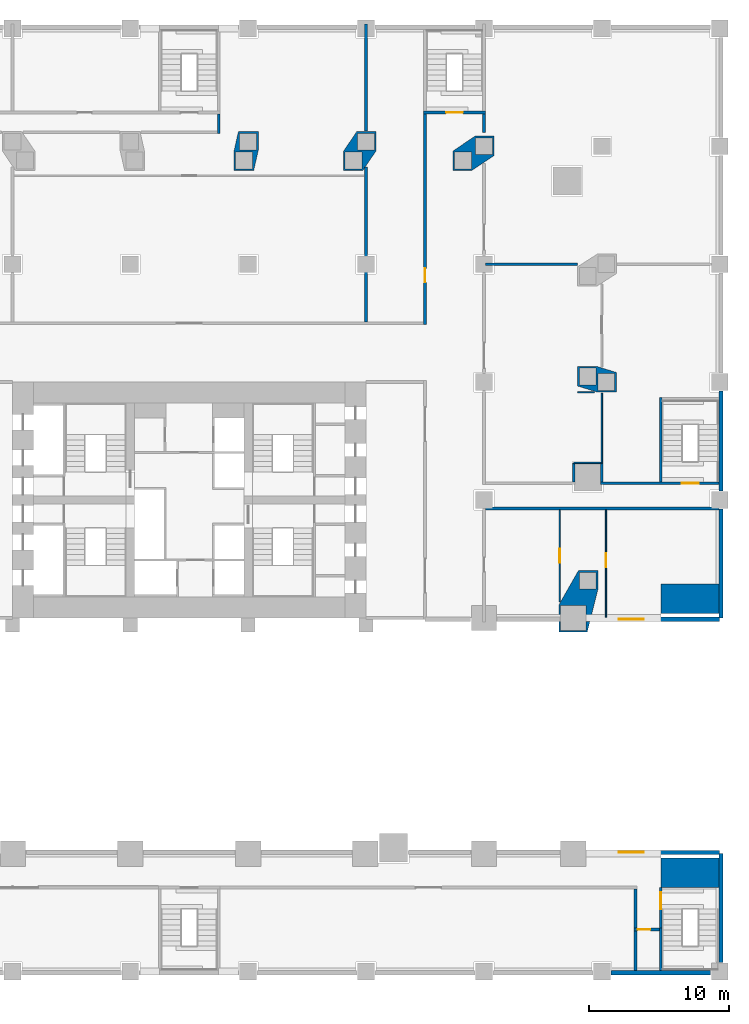
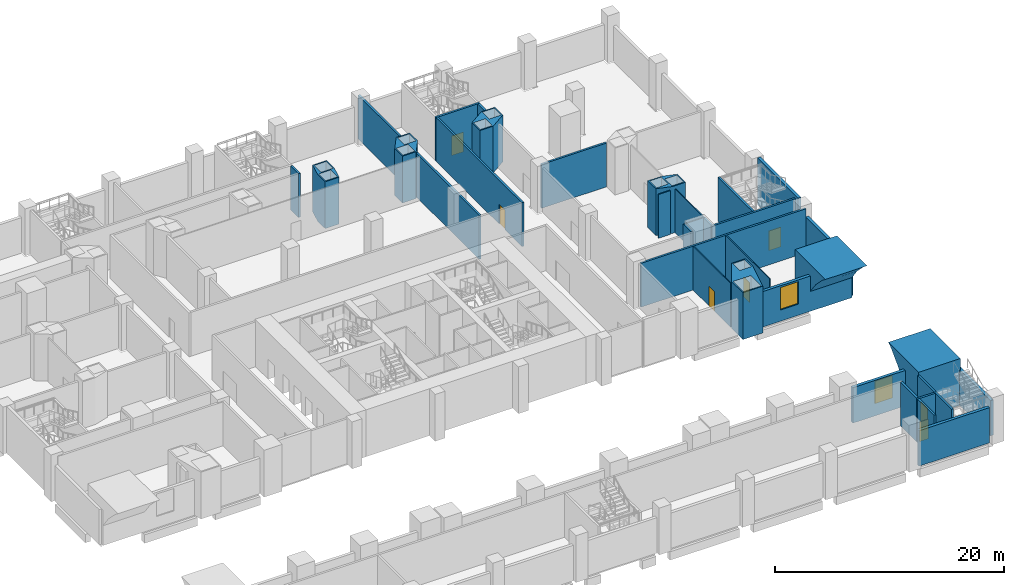
# One storey, part 8 of 16: 35 walls, 7 doors, 2 windows, 9 openings.
"""IFC4 building model written with IfcOpenShell, lengths in metres."""

from ifc_helpers import new_model, si_unit, direction, frame, frame_2d, origin, place, context, subcontext, project, spatial, polyline, rectangle, outline, extrude, material, layer, layer_set, type_object, element, fill, save


model = new_model("IFC4")

# Units and contexts
model_context = context("Model", 3, precision=1e-05, world=origin(), true_north=direction((0.0, 1.0)))
body_context = subcontext(model_context, "Body", "Model", "MODEL_VIEW")
ifc_project = project(units=[si_unit("LENGTHUNIT", "METRE"), si_unit("AREAUNIT", "SQUARE_METRE"), si_unit("VOLUMEUNIT", "CUBIC_METRE"), si_unit("PLANEANGLEUNIT", "RADIAN"), si_unit("MASSUNIT", "GRAM", prefix="KILO")], contexts=[model_context])

# Site, building, storey
site_placement = place(None, origin())
site = spatial("IfcSite", under=ifc_project, at=site_placement, CompositionType="ELEMENT")
building_placement = place(site_placement, origin())
building = spatial("IfcBuilding", under=site, at=building_placement, Name="Marenta Gate Hotel Tower", CompositionType="ELEMENT")
storey_placement = place(building_placement, frame((0.0, 0.0, 21.0)))
storey = spatial("IfcBuildingStorey", under=building, at=storey_placement, Name="L03", CompositionType="ELEMENT", Elevation=21.0)

# Walls
ifc_material_1 = material(Name="Concrete C40 board-marked", Category="concrete")
ifc_layer_1 = layer(ifc_material_1, 0.300048828125)
ifc_layer_set_1 = layer_set([ifc_layer_1], Name="Concrete C40 board-marked")
wall_type_1 = type_object("IfcWallType", Name="Board-marked concrete wall 300 mm", PredefinedType="NOTDEFINED", material=ifc_layer_set_1)
wall_1_placement = place(storey_placement, frame((30.0400390625, -25.2900390625, 0.0), z_axis=(0.0, 0.0, 1.0), x_axis=(1.0, 0.0, 0.0)))
element("IfcWall", 1, at=wall_1_placement, inside=storey, type_object=wall_type_1, Name="L03-CLD-SB-S008", PredefinedType="NOTDEFINED", context=body_context, shape_type="SweptSolid", body=[
    extrude(rectangle(XDim=7.119873046875, YDim=0.300048828125, at=frame_2d((3.56005859375, 0.0))), origin(), (0.0, 0.0, 1.0), 3.780029296875),
])
wall_2_placement = place(storey_placement, frame((37.889892578125, -24.56005859375, 0.0), z_axis=(0.0, 0.0, 1.0), x_axis=(0.0, 1.0, 0.0)))
element("IfcWall", 2, at=wall_2_placement, inside=storey, type_object=wall_type_1, Name="L03-CLD-SB-E000", PredefinedType="NOTDEFINED", context=body_context, shape_type="SweptSolid", body=[
    extrude(rectangle(XDim=7.760009765625, YDim=0.300048828125, at=frame_2d((3.8798828125, 0.0))), origin(), (0.0, 0.0, 1.0), 3.780029296875),
])

# Wall, opening, window
wall_3_placement = place(storey_placement, frame((37.800048828125, -16.7099609375, 0.0), z_axis=(0.0, 0.0, 1.0), x_axis=(-1.0, 0.0, 0.0)))
wall_3 = element("IfcWall", 3, at=wall_3_placement, inside=storey, type_object=wall_type_1, Name="L03-CLD-SB-N000", PredefinedType="NOTDEFINED", context=body_context, shape_type="SweptSolid", body=[
    extrude(rectangle(XDim=9.4970703125, YDim=0.300048828125, at=frame_2d((4.74853515625, 0.0))), origin(), (0.0, 0.0, 1.0), 3.780029296875),
])
opening_1_placement = place(wall_3_placement, frame((5.39990234375, 0.0, 1.199951171875)))
opening_1 = element("IfcOpeningElement", 4, at=opening_1_placement, cuts=wall_3, Name="Opening W5", PredefinedType="OPENING", context=body_context, shape_type="SweptSolid", body=[
    extrude(rectangle(XDim=1.800048828125, YDim=2.39990234375, at=frame_2d((0.89990234375, 1.199951171875))), frame((0.0, 0.14990234375, 0.0), z_axis=(0.0, -1.0, 0.0), x_axis=(1.0, 0.0, 0.0)), (0.0, 0.0, 1.0), 0.300048828125),
])
ifc_material_2 = material(Name="Tinted insulated glass in bronze anodised frame", Category="glass")
window_type = type_object("IfcWindowType", Name="Window W5 1800x2400 bronze frame", PartitioningType="SINGLE_PANEL", PredefinedType="WINDOW", material=ifc_material_2)
window_1_placement = place(opening_1_placement, origin())
window_1 = element("IfcWindow", 5, at=window_1_placement, inside=storey, type_object=window_type, Name="Window W5", OverallHeight=2.39990234375, OverallWidth=1.800048828125, PartitioningType="SINGLE_PANEL", PredefinedType="WINDOW", context=body_context, shape_type="SweptSolid", body=[
    extrude(rectangle(XDim=1.800048828125, YDim=2.39990234375, at=frame_2d((0.89990234375, 1.199951171875))), frame((0.0, 0.030029296875, 0.0), z_axis=(0.0, -1.0, 0.0), x_axis=(1.0, 0.0, 0.0)), (0.0, 0.0, 1.0), 0.06005859375),
])
fill(opening_1, window_1)

wall_4_placement = place(storey_placement, frame((28.302978515625, -0.090087890625, 0.0), z_axis=(0.0, 0.0, 1.0), x_axis=(1.0, 0.0, 0.0)))
wall_4 = element("IfcWall", 6, at=wall_4_placement, inside=storey, type_object=wall_type_1, Name="L03-CLD-NB-S102", PredefinedType="NOTDEFINED", context=body_context, shape_type="SweptSolid", body=[
    extrude(rectangle(XDim=9.4970703125, YDim=0.300048828125, at=frame_2d((4.74853515625, 0.0))), origin(), (0.0, 0.0, 1.0), 3.780029296875),
])
opening_2_placement = place(wall_4_placement, frame((2.297119140625, 0.0, 1.199951171875)))
opening_2 = element("IfcOpeningElement", 7, at=opening_2_placement, cuts=wall_4, Name="Opening W5", PredefinedType="OPENING", context=body_context, shape_type="SweptSolid", body=[
    extrude(rectangle(XDim=1.800048828125, YDim=2.39990234375, at=frame_2d((0.89990234375, 1.199951171875))), frame((0.0, 0.14990234375, 0.0), z_axis=(0.0, -1.0, 0.0), x_axis=(1.0, 0.0, 0.0)), (0.0, 0.0, 1.0), 0.300048828125),
])
window_2_placement = place(opening_2_placement, origin())
window_2 = element("IfcWindow", 8, at=window_2_placement, inside=storey, type_object=window_type, Name="Window W5", OverallHeight=2.39990234375, OverallWidth=1.800048828125, PartitioningType="SINGLE_PANEL", PredefinedType="WINDOW", context=body_context, shape_type="SweptSolid", body=[
    extrude(rectangle(XDim=1.800048828125, YDim=2.39990234375, at=frame_2d((0.89990234375, 1.199951171875))), frame((0.0, 0.030029296875, 0.0), z_axis=(0.0, -1.0, 0.0), x_axis=(1.0, 0.0, 0.0)), (0.0, 0.0, 1.0), 0.06005859375),
])
fill(opening_2, window_2)

# Walls
wall_5_placement = place(storey_placement, frame((37.889892578125, 0.0, 0.0), z_axis=(0.0, 0.0, 1.0), x_axis=(0.0, 1.0, 0.0)))
element("IfcWall", 9, at=wall_5_placement, inside=storey, type_object=wall_type_1, Name="L03-CLD-NB-E000", PredefinedType="NOTDEFINED", context=body_context, shape_type="SweptSolid", body=[
    extrude(rectangle(XDim=7.760009765625, YDim=0.300048828125, at=frame_2d((3.8798828125, 0.0))), origin(), (0.0, 0.0, 1.0), 3.780029296875),
])
wall_6_placement = place(storey_placement, frame((37.889892578125, 9.0400390625, 0.0), z_axis=(0.0, 0.0, 1.0), x_axis=(0.0, 1.0, 0.0)))
element("IfcWall", 10, at=wall_6_placement, inside=storey, type_object=wall_type_1, Name="L03-CLD-NB-E001", PredefinedType="NOTDEFINED", context=body_context, shape_type="SweptSolid", body=[
    extrude(rectangle(XDim=7.119873046875, YDim=0.300048828125, at=frame_2d((3.56005859375, 0.0))), origin(), (0.0, 0.0, 1.0), 5.0),
])
ifc_material_3 = material(Name="Concrete C80", Category="concrete")
ifc_layer_2 = layer(ifc_material_3, 4.199951171875)
ifc_layer_set_2 = layer_set([ifc_layer_2], Name="Concrete C80")
wall_type_2 = type_object("IfcWallType", Name="Gate spandrel wall 4200 C80", PredefinedType="SOLIDWALL", material=ifc_layer_set_2)
wall_7_placement = place(storey_placement, frame((37.800048828125, 2.39990234375, 0.0), z_axis=(1.0, 0.0, 0.0), x_axis=(0.0, 0.0, 1.0)))
element("IfcWall", 11, at=wall_7_placement, inside=storey, type_object=wall_type_2, Name="PW2 L03-PWL-EG3", PredefinedType="SOLIDWALL", context=body_context, shape_type="SweptSolid", body=[
    extrude(outline(polyline([(0.0, 0.0), (5.0, 0.0), (5.0, 5.278564453125), (4.640625, 4.7998046875), (3.43505859375, 3.599853515625), (1.799560546875, 2.39990234375), (0.0, 1.494873046875), (0.0, 0.0)])), origin(), (0.0, 0.0, -1.0), 4.199951171875),
])
wall_8_placement = place(storey_placement, frame((37.800048828125, -14.39990234375, 4.640625), z_axis=(1.0, 0.0, 0.0), x_axis=(0.0, 0.799608184746, 0.600522065279)))
element("IfcWall", 12, at=wall_8_placement, inside=storey, type_object=wall_type_2, Name="PW2 L03-PWL-EG4", PredefinedType="SOLIDWALL", context=body_context, shape_type="SweptSolid", body=[
    extrude(outline(polyline([(0.0, 0.0), (0.5984376274885634, -5.551115123125783e-17), (-3.6223457129409518, 3.169894427098085), (-6.624956039335141, -0.828146496633309), (-5.429643315897284, -1.7258507460723531), (-3.625298666477174, -0.8303974663418432), (-1.6836552232811544, -0.24323699789217712), (0.0, 0.0)])), origin(), (0.0, 0.0, -1.0), 4.199951171875),
])
ifc_material_4 = material(Name="Concrete C70", Category="concrete")
ifc_layer_3 = layer(ifc_material_4, 1.60009765625)
ifc_layer_set_3 = layer_set([ifc_layer_3], Name="Concrete C70")
wall_type_3 = type_object("IfcWallType", Name="Pier wall board-marked concrete C70", PredefinedType="SOLIDWALL", material=ifc_layer_set_3)
wall_9_placement = place(storey_placement, origin())
element("IfcWall", 13, at=wall_9_placement, inside=storey, type_object=wall_type_3, Name="L03-PIER-7", PredefinedType="SOLIDWALL", context=body_context, shape_type="SweptSolid", body=[
    extrude(outline(polyline([(3.181396484375, 33.21337890625), (3.504150390625, 34.639892578125), (4.919921875, 34.639892578125), (4.919921875, 33.306640625), (4.59716796875, 31.8798828125), (3.181396484375, 31.8798828125), (3.181396484375, 33.21337890625)]), holes=[polyline([(3.60009765625, 33.320068359375), (4.800048828125, 33.320068359375), (4.800048828125, 34.52001953125), (3.60009765625, 34.52001953125), (3.60009765625, 33.320068359375)]), polyline([(3.301513671875, 32.0), (4.50146484375, 32.0), (4.50146484375, 33.199951171875), (3.301513671875, 33.199951171875), (3.301513671875, 32.0)])]), origin(), (0.0, 0.0, 1.0), 5.0),
])
wall_10_placement = place(storey_placement, origin())
element("IfcWall", 14, at=wall_10_placement, inside=storey, type_object=wall_type_3, Name="L03-PIER-8", PredefinedType="SOLIDWALL", context=body_context, shape_type="SweptSolid", body=[
    extrude(outline(polyline([(10.984130859375, 33.23681640625), (11.9365234375, 34.639892578125), (13.320068359375, 34.639892578125), (13.320068359375, 33.283203125), (12.36767578125, 31.8798828125), (10.984130859375, 31.8798828125), (10.984130859375, 33.23681640625)]), holes=[polyline([(12.0, 33.320068359375), (13.199951171875, 33.320068359375), (13.199951171875, 34.52001953125), (12.0, 34.52001953125), (12.0, 33.320068359375)]), polyline([(11.10400390625, 32.0), (12.30419921875, 32.0), (12.30419921875, 33.199951171875), (11.10400390625, 33.199951171875), (11.10400390625, 32.0)])]), origin(), (0.0, 0.0, 1.0), 5.0),
])
wall_11_placement = place(storey_placement, origin())
element("IfcWall", 15, at=wall_11_placement, inside=storey, type_object=wall_type_3, Name="L03-PIER-9", PredefinedType="SOLIDWALL", context=body_context, shape_type="SweptSolid", body=[
    extrude(outline(polyline([(20.363525390625, 34.320068359375), (21.719970703125, 34.320068359375), (21.719970703125, 32.93603515625), (20.143310546875, 31.8798828125), (18.786865234375, 31.8798828125), (18.786865234375, 33.26416015625), (20.363525390625, 34.320068359375)]), holes=[polyline([(21.60009765625, 33.0), (21.60009765625, 34.199951171875), (20.39990234375, 34.199951171875), (20.39990234375, 33.0), (21.60009765625, 33.0)]), polyline([(20.10693359375, 32.0), (20.10693359375, 33.199951171875), (18.906982421875, 33.199951171875), (18.906982421875, 32.0), (20.10693359375, 32.0)])]), origin(), (0.0, 0.0, 1.0), 5.0),
])
wall_12_placement = place(storey_placement, origin())
element("IfcWall", 16, at=wall_12_placement, inside=storey, type_object=wall_type_3, Name="L03-PIER-11", PredefinedType="SOLIDWALL", context=body_context, shape_type="SweptSolid", body=[
    extrude(outline(polyline([(27.679931640625, 16.514404296875), (27.679931640625, 17.923095703125), (29.017822265625, 17.923095703125), (30.43994140625, 17.48876953125), (30.43994140625, 16.080078125), (29.10205078125, 16.080078125), (27.679931640625, 16.514404296875)]), holes=[polyline([(29.1201171875, 16.199951171875), (30.320068359375, 16.199951171875), (30.320068359375, 17.39990234375), (29.1201171875, 17.39990234375), (29.1201171875, 16.199951171875)]), polyline([(27.800048828125, 16.603271484375), (29.0, 16.603271484375), (29.0, 17.80322265625), (27.800048828125, 17.80322265625), (27.800048828125, 16.603271484375)])]), origin(), (0.0, 0.0, 1.0), 5.0),
])
wall_13_placement = place(storey_placement, origin())
element("IfcWall", 17, at=wall_13_placement, inside=storey, type_object=wall_type_3, Name="L03-PIER-12", PredefinedType="SOLIDWALL", context=body_context, shape_type="SweptSolid", body=[
    extrude(outline(polyline([(27.730224609375, 3.369140625), (29.1201171875, 3.369140625), (29.1201171875, 2.034423828125), (28.356689453125, -1.02001953125), (26.343017578125, -1.02001953125), (26.343017578125, 0.931640625), (27.730224609375, 3.369140625)]), holes=[polyline([(29.0, 2.049072265625), (29.0, 3.2490234375), (27.800048828125, 3.2490234375), (27.800048828125, 2.049072265625), (29.0, 2.049072265625)]), polyline([(28.262939453125, -0.89990234375), (28.262939453125, 0.89990234375), (26.462890625, 0.89990234375), (26.462890625, -0.89990234375), (28.262939453125, -0.89990234375)])]), origin(), (0.0, 0.0, 1.0), 5.0),
])
ifc_material_5 = material(Name="Concrete blockwork", Category="masonry")
ifc_layer_4 = layer(ifc_material_5, 0.199951171875)
ifc_layer_set_4 = layer_set([ifc_layer_4], Name="Concrete blockwork")
wall_type_4 = type_object("IfcWallType", Name="Room corridor wall 200 EI 120", PredefinedType="PARTITIONING", material=ifc_layer_set_4)
wall_14_placement = place(storey_placement, frame((29.39990234375, 9.699951171875, 0.0), z_axis=(0.0, 0.0, 1.0), x_axis=(0.0, 1.0, 0.0)))
element("IfcWall", 18, at=wall_14_placement, inside=storey, type_object=wall_type_4, Name="L03-PTN-W007", PredefinedType="PARTITIONING", context=body_context, shape_type="SweptSolid", body=[
    extrude(rectangle(XDim=1.300048828125, YDim=0.199951171875, at=frame_2d((0.64990234375, 0.0))), origin(), (0.0, 0.0, 1.0), 4.679931640625),
])
ifc_material_6 = material(Name="Gypsum board on steel stud", Category="steel")
ifc_layer_5 = layer(ifc_material_6, 0.199951171875)
ifc_layer_set_5 = layer_set([ifc_layer_5], Name="Gypsum board on steel stud")
wall_type_5 = type_object("IfcWallType", Name="Room corridor wall 200 EI 60", PredefinedType="PARTITIONING", material=ifc_layer_set_5)
wall_15_placement = place(storey_placement, frame((27.39990234375, 9.699951171875, 0.0), z_axis=(0.0, 0.0, 1.0), x_axis=(0.0, 1.0, 0.0)))
element("IfcWall", 19, at=wall_15_placement, inside=storey, type_object=wall_type_5, Name="L03-PTN-W013", PredefinedType="PARTITIONING", context=body_context, shape_type="SweptSolid", body=[
    extrude(rectangle(XDim=1.35205078125, YDim=0.199951171875, at=frame_2d((0.676025390625, 0.0))), origin(), (0.0, 0.0, 1.0), 4.679931640625),
])
wall_16_placement = place(storey_placement, frame((21.0, 34.56689453125, 0.0), z_axis=(0.0, 0.0, 1.0), x_axis=(0.0, 1.0, 0.0)))
element("IfcWall", 20, at=wall_16_placement, inside=storey, type_object=wall_type_5, Name="L03-PTN-W019", PredefinedType="PARTITIONING", context=body_context, shape_type="SweptSolid", body=[
    extrude(rectangle(XDim=1.3330078125, YDim=0.199951171875, at=frame_2d((0.66650390625, 0.0))), origin(), (0.0, 0.0, 1.0), 4.679931640625),
])

# Wall, opening, door
wall_17_placement = place(storey_placement, frame((16.800048828125, 20.89990234375, 0.0), z_axis=(0.0, 0.0, 1.0), x_axis=(0.0, 1.0, 0.0)))
wall_17 = element("IfcWall", 21, at=wall_17_placement, inside=storey, type_object=wall_type_5, Name="L03-PTN-W024", PredefinedType="PARTITIONING", context=body_context, shape_type="SweptSolid", body=[
    extrude(rectangle(XDim=15.0, YDim=0.199951171875, at=frame_2d((7.5, 0.0))), origin(), (0.0, 0.0, 1.0), 4.679931640625),
])
opening_3_placement = place(wall_17_placement, frame((3.0, 0.0, 0.0)))
opening_3 = element("IfcOpeningElement", 22, at=opening_3_placement, cuts=wall_17, Name="Opening S04-19", PredefinedType="OPENING", context=body_context, shape_type="SweptSolid", body=[
    extrude(rectangle(XDim=1.0, YDim=2.10009765625, at=frame_2d((0.5, 1.050048828125))), frame((0.0, 0.10009765625, 0.0), z_axis=(0.0, -1.0, 0.0), x_axis=(1.0, 0.0, 0.0)), (0.0, 0.0, 1.0), 0.199951171875),
])
ifc_material_7 = material(Name="Timber door leaf", Category="wood")
door_type_1 = type_object("IfcDoorType", Name="Room amenity door 1000x2100 EI 30", OperationType="NOTDEFINED", PredefinedType="DOOR", material=ifc_material_7)
door_1_placement = place(opening_3_placement, origin())
door_1 = element("IfcDoor", 23, at=door_1_placement, inside=storey, type_object=door_type_1, Name="L03-PD-D019", OperationType="SINGLE_SWING_RIGHT", OverallHeight=2.10009765625, OverallWidth=1.0, PredefinedType="DOOR", context=body_context, shape_type="SweptSolid", body=[
    extrude(rectangle(XDim=1.0, YDim=2.10009765625, at=frame_2d((0.5, 1.050048828125))), frame((0.0, 0.02490234375, 0.0), z_axis=(0.0, -1.0, 0.0), x_axis=(1.0, 0.0, 0.0)), (0.0, 0.0, 1.0), 0.050048828125),
])
fill(opening_3, door_1)

ifc_material_8 = material(Name="Concrete blockwork", Category="masonry")
ifc_layer_6 = layer(ifc_material_8, 0.199951171875)
ifc_layer_set_6 = layer_set([ifc_layer_6], Name="Concrete blockwork")
wall_type_6 = type_object("IfcWallType", Name="Room corridor wall 200 REI 180", PredefinedType="PARTITIONING", material=ifc_layer_set_6)
wall_18_placement = place(storey_placement, frame((33.60009765625, -22.300048828125, 0.0), z_axis=(0.0, 0.0, 1.0), x_axis=(0.0, 1.0, 0.0)))
wall_18 = element("IfcWall", 24, at=wall_18_placement, inside=storey, type_object=wall_type_6, Name="L03-PTN-W003", PredefinedType="PARTITIONING", context=body_context, shape_type="SweptSolid", body=[
    extrude(rectangle(XDim=3.10009765625, YDim=0.199951171875, at=frame_2d((1.550048828125, 0.0))), origin(), (0.0, 0.0, 1.0), 4.679931640625),
])
opening_4_placement = place(wall_18_placement, frame((1.550048828125, 0.0, 0.0)))
opening_4 = element("IfcOpeningElement", 25, at=opening_4_placement, cuts=wall_18, Name="Opening S04-22", PredefinedType="OPENING", context=body_context, shape_type="SweptSolid", body=[
    extrude(rectangle(XDim=1.199951171875, YDim=2.10009765625, at=frame_2d((0.60009765625, 1.050048828125))), frame((0.0, 0.10009765625, 0.0), z_axis=(0.0, -1.0, 0.0), x_axis=(1.0, 0.0, 0.0)), (0.0, 0.0, 1.0), 0.199951171875),
])
ifc_material_9 = material(Name="Hollow steel door set", Category="steel")
door_type_2 = type_object("IfcDoorType", Name="Podium stair door 1200x2100 EI 60", OperationType="NOTDEFINED", PredefinedType="DOOR", material=ifc_material_9)
door_2_placement = place(opening_4_placement, origin())
door_2 = element("IfcDoor", 26, at=door_2_placement, inside=storey, type_object=door_type_2, Name="L03-PD-D022", OperationType="SINGLE_SWING_LEFT", OverallHeight=2.10009765625, OverallWidth=1.199951171875, PredefinedType="DOOR", context=body_context, shape_type="SweptSolid", body=[
    extrude(rectangle(XDim=1.199951171875, YDim=2.10009765625, at=frame_2d((0.60009765625, 1.050048828125))), frame((0.0, 0.02490234375, 0.0), z_axis=(0.0, -1.0, 0.0), x_axis=(1.0, 0.0, 0.0)), (0.0, 0.0, 1.0), 0.050048828125),
])
fill(opening_4, door_2)

# Wall
wall_19_placement = place(storey_placement, frame((31.800048828125, -22.10009765625, 0.0), z_axis=(0.0, 0.0, 1.0), x_axis=(0.0, 1.0, 0.0)))
element("IfcWall", 27, at=wall_19_placement, inside=storey, type_object=wall_type_6, Name="L03-PTN-W005", PredefinedType="PARTITIONING", context=body_context, shape_type="SweptSolid", body=[
    extrude(rectangle(XDim=2.800048828125, YDim=0.199951171875, at=frame_2d((1.39990234375, 0.0))), origin(), (0.0, 0.0, 1.0), 4.679931640625),
])

# Wall, opening, door
wall_20_placement = place(storey_placement, frame((31.699951171875, -22.199951171875, 0.0), z_axis=(0.0, 0.0, 1.0), x_axis=(1.0, 0.0, 0.0)))
wall_20 = element("IfcWall", 28, at=wall_20_placement, inside=storey, type_object=wall_type_6, Name="L03-PTN-W016", PredefinedType="PARTITIONING", context=body_context, shape_type="SweptSolid", body=[
    extrude(rectangle(XDim=1.800048828125, YDim=0.199951171875, at=frame_2d((0.89990234375, 0.0))), origin(), (0.0, 0.0, 1.0), 4.679931640625),
])
opening_5_placement = place(wall_20_placement, frame((0.25, 0.0, 0.0)))
opening_5 = element("IfcOpeningElement", 29, at=opening_5_placement, cuts=wall_20, Name="Opening S04-23", PredefinedType="OPENING", context=body_context, shape_type="SweptSolid", body=[
    extrude(rectangle(XDim=0.89990234375, YDim=2.10009765625, at=frame_2d((0.449951171875, 1.050048828125))), frame((0.0, 0.10009765625, 0.0), z_axis=(0.0, -1.0, 0.0), x_axis=(1.0, 0.0, 0.0)), (0.0, 0.0, 1.0), 0.199951171875),
])
ifc_material_10 = material(Name="Hollow steel door set", Category="steel")
door_type_3 = type_object("IfcDoorType", Name="Room service door 900x2100 EI 60", OperationType="NOTDEFINED", PredefinedType="DOOR", material=ifc_material_10)
door_3_placement = place(opening_5_placement, origin())
door_3 = element("IfcDoor", 30, at=door_3_placement, inside=storey, type_object=door_type_3, Name="L03-PD-D023", OperationType="SINGLE_SWING_RIGHT", OverallHeight=2.10009765625, OverallWidth=0.89990234375, PredefinedType="DOOR", context=body_context, shape_type="SweptSolid", body=[
    extrude(rectangle(XDim=0.89990234375, YDim=2.10009765625, at=frame_2d((0.449951171875, 1.050048828125))), frame((0.0, 0.02490234375, 0.0), z_axis=(0.0, -1.0, 0.0), x_axis=(1.0, 0.0, 0.0)), (0.0, 0.0, 1.0), 0.050048828125),
])
fill(opening_5, door_3)

# Walls
wall_21_placement = place(storey_placement, frame((2.10009765625, 34.5, 0.0), z_axis=(0.0, 0.0, 1.0), x_axis=(0.0, 1.0, 0.0)))
element("IfcWall", 31, at=wall_21_placement, inside=storey, type_object=wall_type_6, Name="L03-PTN-W030", PredefinedType="PARTITIONING", context=body_context, shape_type="SweptSolid", body=[
    extrude(rectangle(XDim=1.39990234375, YDim=0.199951171875, at=frame_2d((0.699951171875, 0.0))), origin(), (0.0, 0.0, 1.0), 4.679931640625),
])
wall_22_placement = place(storey_placement, frame((21.10009765625, 7.800048828125, 0.0), z_axis=(0.0, 0.0, 1.0), x_axis=(1.0, 0.0, 0.0)))
element("IfcWall", 32, at=wall_22_placement, inside=storey, type_object=wall_type_6, Name="L03-PTN-W035", PredefinedType="PARTITIONING", context=body_context, shape_type="SweptSolid", body=[
    extrude(rectangle(XDim=16.639892578125, YDim=0.199951171875, at=frame_2d((8.31982421875, 0.0))), origin(), (0.0, 0.0, 1.0), 4.679931640625),
])

# Wall, opening, door
wall_23_placement = place(storey_placement, frame((29.300048828125, 9.60009765625, 0.0), z_axis=(0.0, 0.0, 1.0), x_axis=(1.0, 0.0, 0.0)))
wall_23 = element("IfcWall", 33, at=wall_23_placement, inside=storey, type_object=wall_type_6, Name="L03-PTN-W039", PredefinedType="PARTITIONING", context=body_context, shape_type="SweptSolid", body=[
    extrude(rectangle(XDim=8.43994140625, YDim=0.199951171875, at=frame_2d((4.219970703125, 0.0))), origin(), (0.0, 0.0, 1.0), 4.679931640625),
])
opening_6_placement = place(wall_23_placement, frame((5.800048828125, 0.0, 0.0)))
opening_6 = element("IfcOpeningElement", 34, at=opening_6_placement, cuts=wall_23, Name="Opening S04-30", PredefinedType="OPENING", context=body_context, shape_type="SweptSolid", body=[
    extrude(rectangle(XDim=1.199951171875, YDim=2.10009765625, at=frame_2d((0.60009765625, 1.050048828125))), frame((0.0, 0.10009765625, 0.0), z_axis=(0.0, -1.0, 0.0), x_axis=(1.0, 0.0, 0.0)), (0.0, 0.0, 1.0), 0.199951171875),
])
door_4_placement = place(opening_6_placement, origin())
door_4 = element("IfcDoor", 35, at=door_4_placement, inside=storey, type_object=door_type_2, Name="L03-PD-D030", OperationType="SINGLE_SWING_LEFT", OverallHeight=2.10009765625, OverallWidth=1.199951171875, PredefinedType="DOOR", context=body_context, shape_type="SweptSolid", body=[
    extrude(rectangle(XDim=1.199951171875, YDim=2.10009765625, at=frame_2d((0.60009765625, 1.050048828125))), frame((0.0, 0.02490234375, 0.0), z_axis=(0.0, -1.0, 0.0), x_axis=(1.0, 0.0, 0.0)), (0.0, 0.0, 1.0), 0.050048828125),
])
fill(opening_6, door_4)

wall_24_placement = place(storey_placement, frame((16.699951171875, 36.0, 0.0), z_axis=(0.0, 0.0, 1.0), x_axis=(1.0, 0.0, 0.0)))
wall_24 = element("IfcWall", 36, at=wall_24_placement, inside=storey, type_object=wall_type_6, Name="L03-PTN-W083", PredefinedType="PARTITIONING", context=body_context, shape_type="SweptSolid", body=[
    extrude(rectangle(XDim=4.400146484375, YDim=0.199951171875, at=frame_2d((2.2001953125, 0.0))), origin(), (0.0, 0.0, 1.0), 4.679931640625),
])
opening_7_placement = place(wall_24_placement, frame((1.60009765625, 0.0, 0.0)))
opening_7 = element("IfcOpeningElement", 37, at=opening_7_placement, cuts=wall_24, Name="Opening S04-02", PredefinedType="OPENING", context=body_context, shape_type="SweptSolid", body=[
    extrude(rectangle(XDim=1.199951171875, YDim=2.10009765625, at=frame_2d((0.60009765625, 1.050048828125))), frame((0.0, 0.10009765625, 0.0), z_axis=(0.0, -1.0, 0.0), x_axis=(1.0, 0.0, 0.0)), (0.0, 0.0, 1.0), 0.199951171875),
])
door_5_placement = place(opening_7_placement, origin())
door_5 = element("IfcDoor", 38, at=door_5_placement, inside=storey, type_object=door_type_2, Name="L03-PD-D002", OperationType="SINGLE_SWING_LEFT", OverallHeight=2.10009765625, OverallWidth=1.199951171875, PredefinedType="DOOR", context=body_context, shape_type="SweptSolid", body=[
    extrude(rectangle(XDim=1.199951171875, YDim=2.10009765625, at=frame_2d((0.60009765625, 1.050048828125))), frame((0.0, 0.02490234375, 0.0), z_axis=(0.0, -1.0, 0.0), x_axis=(1.0, 0.0, 0.0)), (0.0, 0.0, 1.0), 0.050048828125),
])
fill(opening_7, door_5)

ifc_material_11 = material(Name="Gypsum board on steel stud", Category="steel")
ifc_layer_7 = layer(ifc_material_11, 0.10009765625)
ifc_layer_set_7 = layer_set([ifc_layer_7], Name="Gypsum board on steel stud")
wall_type_7 = type_object("IfcWallType", Name="Room partition 100", PredefinedType="PARTITIONING", material=ifc_layer_set_7)
wall_25_placement = place(storey_placement, frame((29.699951171875, 0.06005859375, 0.0), z_axis=(0.0, 0.0, 1.0), x_axis=(0.0, 1.0, 0.0)))
wall_25 = element("IfcWall", 39, at=wall_25_placement, inside=storey, type_object=wall_type_7, Name="L03-PTN-W006", PredefinedType="PARTITIONING", context=body_context, shape_type="SweptSolid", body=[
    extrude(rectangle(XDim=7.639892578125, YDim=0.10009765625, at=frame_2d((3.81982421875, 0.0))), origin(), (0.0, 0.0, 1.0), 4.679931640625),
])
opening_8_placement = place(wall_25_placement, frame((3.5400390625, 0.0, 0.0)))
opening_8 = element("IfcOpeningElement", 40, at=opening_8_placement, cuts=wall_25, Name="Opening S04-10", PredefinedType="OPENING", context=body_context, shape_type="SweptSolid", body=[
    extrude(rectangle(XDim=1.0, YDim=2.10009765625, at=frame_2d((0.5, 1.050048828125))), frame((0.0, 0.050048828125, 0.0), z_axis=(0.0, -1.0, 0.0), x_axis=(1.0, 0.0, 0.0)), (0.0, 0.0, 1.0), 0.10009765625),
])
ifc_material_12 = material(Name="Hollow steel door set", Category="steel")
door_type_4 = type_object("IfcDoorType", Name="Room service door 1000x2100", OperationType="NOTDEFINED", PredefinedType="DOOR", material=ifc_material_12)
door_6_placement = place(opening_8_placement, origin())
door_6 = element("IfcDoor", 41, at=door_6_placement, inside=storey, type_object=door_type_4, Name="L03-PD-D010", OperationType="SINGLE_SWING_RIGHT", OverallHeight=2.10009765625, OverallWidth=1.0, PredefinedType="DOOR", context=body_context, shape_type="SweptSolid", body=[
    extrude(rectangle(XDim=1.0, YDim=2.10009765625, at=frame_2d((0.5, 1.050048828125))), frame((0.0, 0.02490234375, 0.0), z_axis=(0.0, -1.0, 0.0), x_axis=(1.0, 0.0, 0.0)), (0.0, 0.0, 1.0), 0.050048828125),
])
fill(opening_8, door_6)

# Wall
wall_26_placement = place(storey_placement, frame((29.39990234375, 11.0, 0.0), z_axis=(0.0, 0.0, 1.0), x_axis=(0.0, 1.0, 0.0)))
element("IfcWall", 42, at=wall_26_placement, inside=storey, type_object=wall_type_7, Name="L03-PTN-W008", PredefinedType="PARTITIONING", context=body_context, shape_type="SweptSolid", body=[
    extrude(rectangle(XDim=5.011962890625, YDim=0.10009765625, at=frame_2d((2.505859375, 0.0))), origin(), (0.0, 0.0, 1.0), 4.679931640625),
])

# Wall, opening, door
wall_27_placement = place(storey_placement, frame((26.39990234375, 1.133056640625, 0.0), z_axis=(0.0, 0.0, 1.0), x_axis=(0.0, 1.0, 0.0)))
wall_27 = element("IfcWall", 43, at=wall_27_placement, inside=storey, type_object=wall_type_7, Name="L03-PTN-W014", PredefinedType="PARTITIONING", context=body_context, shape_type="SweptSolid", body=[
    extrude(rectangle(XDim=6.56689453125, YDim=0.10009765625, at=frame_2d((3.283447265625, 0.0))), origin(), (0.0, 0.0, 1.0), 4.679931640625),
])
opening_9_placement = place(wall_27_placement, frame((2.782958984375, 0.0, 0.0)))
opening_9 = element("IfcOpeningElement", 44, at=opening_9_placement, cuts=wall_27, Name="Opening S04-09", PredefinedType="OPENING", context=body_context, shape_type="SweptSolid", body=[
    extrude(rectangle(XDim=1.0, YDim=2.10009765625, at=frame_2d((0.5, 1.050048828125))), frame((0.0, 0.050048828125, 0.0), z_axis=(0.0, -1.0, 0.0), x_axis=(1.0, 0.0, 0.0)), (0.0, 0.0, 1.0), 0.10009765625),
])
ifc_material_13 = material(Name="Timber door leaf", Category="wood")
door_type_5 = type_object("IfcDoorType", Name="Room inner door 1000x2100", OperationType="NOTDEFINED", PredefinedType="DOOR", material=ifc_material_13)
door_7_placement = place(opening_9_placement, origin())
door_7 = element("IfcDoor", 45, at=door_7_placement, inside=storey, type_object=door_type_5, Name="L03-PD-D009", OperationType="SINGLE_SWING_RIGHT", OverallHeight=2.10009765625, OverallWidth=1.0, PredefinedType="DOOR", context=body_context, shape_type="SweptSolid", body=[
    extrude(rectangle(XDim=1.0, YDim=2.10009765625, at=frame_2d((0.5, 1.050048828125))), frame((0.0, 0.02490234375, 0.0), z_axis=(0.0, -1.0, 0.0), x_axis=(1.0, 0.0, 0.0)), (0.0, 0.0, 1.0), 0.050048828125),
])
fill(opening_9, door_7)

# Walls
wall_28_placement = place(storey_placement, frame((27.39794921875, 11.050048828125, 0.0), z_axis=(0.0, 0.0, 1.0), x_axis=(1.0, 0.0, 0.0)))
element("IfcWall", 46, at=wall_28_placement, inside=storey, type_object=wall_type_7, Name="L03-PTN-W041", PredefinedType="PARTITIONING", context=body_context, shape_type="SweptSolid", body=[
    extrude(rectangle(XDim=1.9521484375, YDim=0.10009765625, at=frame_2d((0.97607421875, 0.0))), origin(), (0.0, 0.0, 1.0), 4.679931640625),
])
wall_29_placement = place(storey_placement, frame((27.677978515625, 16.080078125, 0.0), z_axis=(0.0, 0.0, 1.0), x_axis=(1.0, 0.0, 0.0)))
element("IfcWall", 47, at=wall_29_placement, inside=storey, type_object=wall_type_7, Name="L03-PTN-W047", PredefinedType="PARTITIONING", context=body_context, shape_type="SweptSolid", body=[
    extrude(rectangle(XDim=1.18603515625, YDim=0.10009765625, at=frame_2d((0.593017578125, 0.0))), origin(), (0.0, 0.0, 1.0), 4.679931640625),
])
ifc_material_14 = material(Name="Concrete blockwork", Category="masonry")
ifc_layer_8 = layer(ifc_material_14, 0.199951171875)
ifc_layer_set_8 = layer_set([ifc_layer_8], Name="Concrete blockwork")
wall_type_8 = type_object("IfcWallType", Name="Room party wall 200 EI 120", PredefinedType="PARTITIONING", material=ifc_layer_set_8)
wall_30_placement = place(storey_placement, frame((31.800048828125, -25.139892578125, 0.0), z_axis=(0.0, 0.0, 1.0), x_axis=(0.0, 1.0, 0.0)))
element("IfcWall", 48, at=wall_30_placement, inside=storey, type_object=wall_type_8, Name="L03-PTN-W004", PredefinedType="PARTITIONING", context=body_context, shape_type="SweptSolid", body=[
    extrude(rectangle(XDim=2.83984375, YDim=0.199951171875, at=frame_2d((1.419921875, 0.0))), origin(), (0.0, 0.0, 1.0), 4.679931640625),
])
wall_31_placement = place(storey_placement, frame((12.60009765625, 21.10009765625, 0.0), z_axis=(0.0, 0.0, 1.0), x_axis=(0.0, 1.0, 0.0)))
element("IfcWall", 49, at=wall_31_placement, inside=storey, type_object=wall_type_8, Name="L03-PTN-W026", PredefinedType="PARTITIONING", context=body_context, shape_type="SweptSolid", body=[
    extrude(rectangle(XDim=11.032958984375, YDim=0.199951171875, at=frame_2d((5.5166015625, 0.0))), origin(), (0.0, 0.0, 1.0), 4.679931640625),
])
wall_32_placement = place(storey_placement, frame((12.60009765625, 34.68994140625, 0.0), z_axis=(0.0, 0.0, 1.0), x_axis=(0.0, 1.0, 0.0)))
element("IfcWall", 50, at=wall_32_placement, inside=storey, type_object=wall_type_8, Name="L03-PTN-W027", PredefinedType="PARTITIONING", context=body_context, shape_type="SweptSolid", body=[
    extrude(rectangle(XDim=7.610107421875, YDim=0.199951171875, at=frame_2d((3.80517578125, 0.0))), origin(), (0.0, 0.0, 1.0), 4.679931640625),
])
ifc_material_15 = material(Name="Gypsum board on steel stud", Category="steel")
ifc_layer_9 = layer(ifc_material_15, 0.199951171875)
ifc_layer_set_9 = layer_set([ifc_layer_9], Name="Gypsum board on steel stud")
wall_type_9 = type_object("IfcWallType", Name="Room party wall 200 EI 60", PredefinedType="PARTITIONING", material=ifc_layer_set_9)
wall_33_placement = place(storey_placement, frame((21.10009765625, 25.199951171875, 0.0), z_axis=(0.0, 0.0, 1.0), x_axis=(1.0, 0.0, 0.0)))
element("IfcWall", 51, at=wall_33_placement, inside=storey, type_object=wall_type_9, Name="L03-PTN-W063", PredefinedType="PARTITIONING", context=body_context, shape_type="SweptSolid", body=[
    extrude(rectangle(XDim=6.579833984375, YDim=0.199951171875, at=frame_2d((3.2900390625, 0.0))), origin(), (0.0, 0.0, 1.0), 4.679931640625),
])
ifc_material_16 = material(Name="Concrete blockwork", Category="masonry")
ifc_layer_10 = layer(ifc_material_16, 0.199951171875)
ifc_layer_set_10 = layer_set([ifc_layer_10], Name="Concrete blockwork")
wall_type_10 = type_object("IfcWallType", Name="Room party wall 200 REI 180", PredefinedType="PARTITIONING", material=ifc_layer_set_10)
wall_34_placement = place(storey_placement, frame((33.60009765625, -25.139892578125, 0.0), z_axis=(0.0, 0.0, 1.0), x_axis=(0.0, 1.0, 0.0)))
element("IfcWall", 52, at=wall_34_placement, inside=storey, type_object=wall_type_10, Name="L03-PTN-W001", PredefinedType="PARTITIONING", context=body_context, shape_type="SweptSolid", body=[
    extrude(rectangle(XDim=3.039794921875, YDim=0.199951171875, at=frame_2d((1.52001953125, 0.0))), origin(), (0.0, 0.0, 1.0), 4.679931640625),
])
wall_35_placement = place(storey_placement, frame((33.60009765625, 9.699951171875, 0.0), z_axis=(0.0, 0.0, 1.0), x_axis=(0.0, 1.0, 0.0)))
element("IfcWall", 53, at=wall_35_placement, inside=storey, type_object=wall_type_10, Name="L03-PTN-W002", PredefinedType="PARTITIONING", context=body_context, shape_type="SweptSolid", body=[
    extrude(rectangle(XDim=6.0, YDim=0.199951171875, at=frame_2d((3.0, 0.0))), origin(), (0.0, 0.0, 1.0), 4.679931640625),
])

save(model, "model.ifc")
